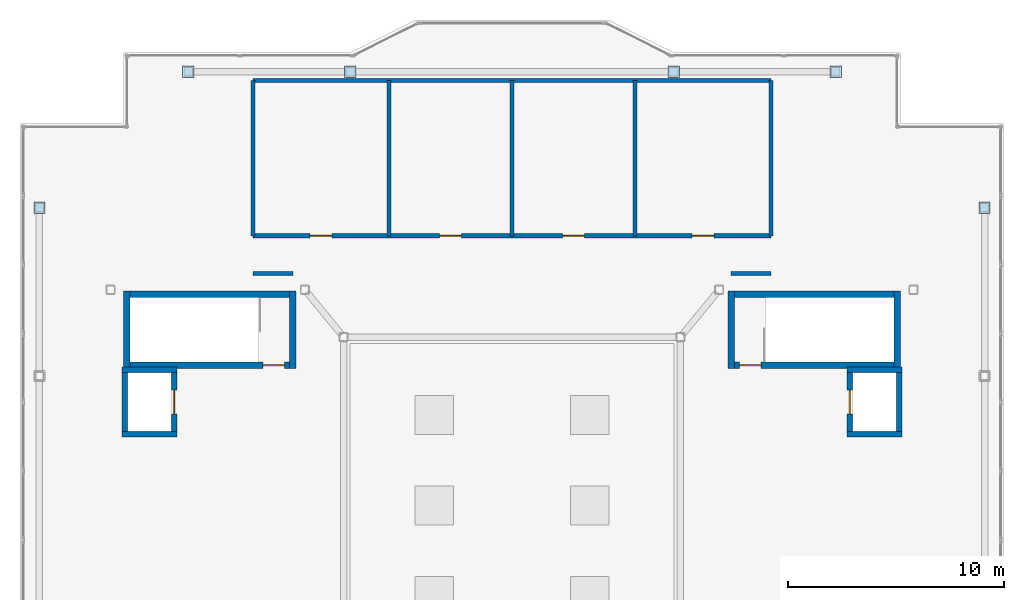
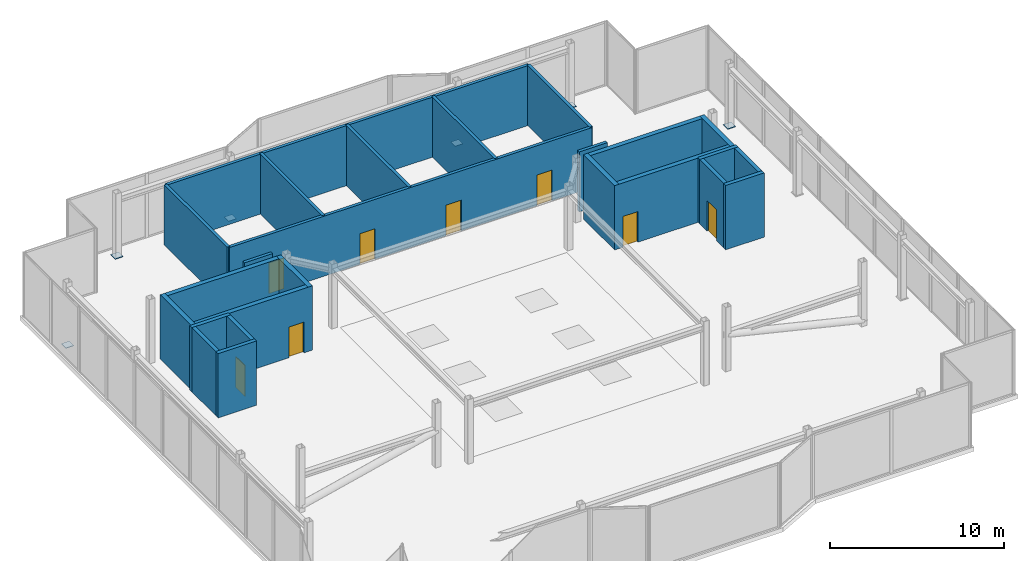
# One storey, part 17 of 18: 25 walls, 8 doors, 6 plates, 8 openings.
"""IFC4 building model written with IfcOpenShell, lengths in metres."""

from ifc_helpers import new_model, si_unit, direction, frame, frame_2d, origin, origin_2d, place, context, subcontext, project, spatial, rectangle, extrude, material, layer, layer_set, type_object, element, fill, save


model = new_model("IFC4")

# Units and contexts
model_context = context("Model", 3, precision=1e-05, world=origin(), true_north=direction((0.0, 1.0)))
body_context = subcontext(model_context, "Body", "Model", "MODEL_VIEW")
ifc_project = project(units=[si_unit("LENGTHUNIT", "METRE"), si_unit("AREAUNIT", "SQUARE_METRE"), si_unit("VOLUMEUNIT", "CUBIC_METRE"), si_unit("PLANEANGLEUNIT", "RADIAN"), si_unit("MASSUNIT", "GRAM", prefix="KILO")], contexts=[model_context])

# Site, building, storey
site_placement = place(None, origin())
site = spatial("IfcSite", under=ifc_project, at=site_placement, CompositionType="ELEMENT")
building_placement = place(site_placement, origin())
building = spatial("IfcBuilding", under=site, at=building_placement, Name="Tarnavaz Court Tower", CompositionType="ELEMENT")
storey_placement = place(building_placement, frame((0.0, 0.0, 281.550048828125)))
storey = spatial("IfcBuildingStorey", under=building, at=storey_placement, Name="C01", CompositionType="ELEMENT", Elevation=281.550048828125)

# Plates
ifc_material_1 = material(Name="Steel S355", Category="steel")
ifc_layer_1 = layer(ifc_material_1, 0.034912109375)
ifc_layer_set_1 = layer_set([ifc_layer_1], Name="Steel S355")
plate_type = type_object("IfcPlateType", Name="PL-BASE-35", PredefinedType="USERDEFINED", material=ifc_layer_set_1)
for number, where, z_axis, x_axis, name in (
    (1, (-15.0, 20.10009765625, 0.0), (0.0, 0.0, 1.0), (1.0, 0.0, 0.0), "C01 Crown Frame Post Base Plate PN-1"),
    (2, (-7.5, 20.10009765625, 0.0), (0.0, 0.0, 1.0), (1.0, 0.0, 0.0), "C01 Crown Frame Post Base Plate PN-2"),
    (3, (7.5, 20.10009765625, 0.0), (0.0, 0.0, 1.0), (1.0, 0.0, 0.0), "C01 Crown Frame Post Base Plate PN-3"),
    (4, (15.0, 20.10009765625, 0.0), (0.0, 0.0, 1.0), (1.0, 0.0, 0.0), "C01 Crown Frame Post Base Plate PN-4"),
    (5, (21.89990234375, 13.800048828125, 0.0), (0.0, 0.0, 1.0), (1.0, 0.0, 0.0), "C01 Crown Frame Post Base Plate PE-4"),
    (6, (-21.89990234375, 13.800048828125, 0.0), (0.0, 0.0, 1.0), (1.0, 0.0, 0.0), "C01 Crown Frame Post Base Plate PW-4"),
):
    element("IfcPlate", number, at=place(storey_placement, frame(where, z_axis=z_axis, x_axis=x_axis)), inside=storey, type_object=plate_type, Name=name, ObjectType="BASE PLATE", PredefinedType="USERDEFINED", context=body_context, shape_type="SweptSolid", body=[
        extrude(rectangle(XDim=0.52001953125, YDim=0.52001953125, at=origin_2d()), origin(), (0.0, 0.0, 1.0), 0.034912109375),
    ])

# Wall, opening, door
ifc_material_2 = material(Name="Concrete C50/60", Category="concrete")
ifc_layer_2 = layer(ifc_material_2, 0.25)
ifc_layer_set_2 = layer_set([ifc_layer_2], Name="Concrete C50/60")
wall_type_1 = type_object("IfcWallType", Name="WL-CORE-250-C50", PredefinedType="SHEAR", material=ifc_layer_set_2)
wall_1_placement = place(storey_placement, frame((-15.64990234375, 3.175048828125, 0.0), z_axis=(0.0, 0.0, 1.0), x_axis=(0.0, 1.0, 0.0)))
wall_1 = element("IfcWall", 7, at=wall_1_placement, inside=storey, type_object=wall_type_1, Name="C01 Interior Partition 009", PredefinedType="SHEAR", context=body_context, shape_type="SweptSolid", body=[
    extrude(rectangle(XDim=3.25, YDim=0.25, at=frame_2d((1.625, 0.0))), origin(), (0.0, 0.0, 1.0), 4.5),
])
opening_1_placement = place(wall_1_placement, frame((1.074951171875, 0.0, 0.0)))
opening_1 = element("IfcOpeningElement", 8, at=opening_1_placement, cuts=wall_1, Name="Opening LD1", PredefinedType="OPENING", context=body_context, shape_type="SweptSolid", body=[
    extrude(rectangle(XDim=1.10009765625, YDim=2.14990234375, at=frame_2d((0.550048828125, 1.074951171875))), frame((0.0, 0.135009765625, 0.0), z_axis=(0.0, -1.0, 0.0), x_axis=(1.0, 0.0, 0.0)), (0.0, 0.0, 1.0), 0.27001953125),
])
ifc_material_3 = material(Name="Stainless Steel", Category="steel")
door_type_1 = type_object("IfcDoorType", Name="DR-LD-1100", OperationType="NOTDEFINED", PredefinedType="DOOR", material=ifc_material_3)
door_1_placement = place(opening_1_placement, origin())
door_1 = element("IfcDoor", 9, at=door_1_placement, inside=storey, type_object=door_type_1, Name="C01 Lift Landing Door LD-FL-W1", OperationType="SLIDING_TO_LEFT", OverallHeight=2.14990234375, OverallWidth=1.10009765625, PredefinedType="DOOR", context=body_context, shape_type="SweptSolid", body=[
    extrude(rectangle(XDim=1.10009765625, YDim=2.14990234375, at=frame_2d((0.550048828125, 1.074951171875))), frame((0.0, 0.02490234375, 0.0), z_axis=(0.0, -1.0, 0.0), x_axis=(1.0, 0.0, 0.0)), (0.0, 0.0, 1.0), 0.050048828125),
])
fill(opening_1, door_1)

# Walls
wall_2_placement = place(storey_placement, frame((-17.949951171875, 3.175048828125, 0.0), z_axis=(0.0, 0.0, 1.0), x_axis=(0.0, 1.0, 0.0)))
element("IfcWall", 10, at=wall_2_placement, inside=storey, type_object=wall_type_1, Name="C01 Interior Partition 010", PredefinedType="SHEAR", context=body_context, shape_type="SweptSolid", body=[
    extrude(rectangle(XDim=3.25, YDim=0.25, at=frame_2d((1.625, 0.0))), origin(), (0.0, 0.0, 1.0), 4.5),
])
for number, where, z_axis, x_axis, name in (
    (11, (-18.074951171875, 3.300048828125, 0.0), (0.0, 0.0, 1.0), (1.0, 0.0, 0.0), "C01 Interior Partition 011"),
    (12, (-18.074951171875, 6.300048828125, 0.0), (0.0, 0.0, 1.0), (1.0, 0.0, 0.0), "C01 Interior Partition 012"),
):
    element("IfcWall", number, at=place(storey_placement, frame(where, z_axis=z_axis, x_axis=x_axis)), inside=storey, type_object=wall_type_1, Name=name, PredefinedType="SHEAR", context=body_context, shape_type="SweptSolid", body=[
        extrude(rectangle(XDim=2.550048828125, YDim=0.25, at=frame_2d((1.27490234375, 0.0))), origin(), (0.0, 0.0, 1.0), 4.5),
    ])

# Wall, opening, door
wall_3_placement = place(storey_placement, frame((15.64990234375, 3.175048828125, 0.0), z_axis=(0.0, 0.0, 1.0), x_axis=(0.0, 1.0, 0.0)))
wall_3 = element("IfcWall", 13, at=wall_3_placement, inside=storey, type_object=wall_type_1, Name="C01 Interior Partition 013", PredefinedType="SHEAR", context=body_context, shape_type="SweptSolid", body=[
    extrude(rectangle(XDim=3.25, YDim=0.25, at=frame_2d((1.625, 0.0))), origin(), (0.0, 0.0, 1.0), 4.5),
])
opening_2_placement = place(wall_3_placement, frame((1.074951171875, 0.0, 0.0)))
opening_2 = element("IfcOpeningElement", 14, at=opening_2_placement, cuts=wall_3, Name="Opening LD1", PredefinedType="OPENING", context=body_context, shape_type="SweptSolid", body=[
    extrude(rectangle(XDim=1.10009765625, YDim=2.14990234375, at=frame_2d((0.550048828125, 1.074951171875))), frame((0.0, 0.135009765625, 0.0), z_axis=(0.0, -1.0, 0.0), x_axis=(1.0, 0.0, 0.0)), (0.0, 0.0, 1.0), 0.27001953125),
])
door_2_placement = place(opening_2_placement, origin())
door_2 = element("IfcDoor", 15, at=door_2_placement, inside=storey, type_object=door_type_1, Name="C01 Lift Landing Door LD-FL-E1", OperationType="SLIDING_TO_LEFT", OverallHeight=2.14990234375, OverallWidth=1.10009765625, PredefinedType="DOOR", context=body_context, shape_type="SweptSolid", body=[
    extrude(rectangle(XDim=1.10009765625, YDim=2.14990234375, at=frame_2d((0.550048828125, 1.074951171875))), frame((0.0, 0.02490234375, 0.0), z_axis=(0.0, -1.0, 0.0), x_axis=(1.0, 0.0, 0.0)), (0.0, 0.0, 1.0), 0.050048828125),
])
fill(opening_2, door_2)

# Walls
wall_4_placement = place(storey_placement, frame((17.949951171875, 3.175048828125, 0.0), z_axis=(0.0, 0.0, 1.0), x_axis=(0.0, 1.0, 0.0)))
element("IfcWall", 16, at=wall_4_placement, inside=storey, type_object=wall_type_1, Name="C01 Interior Partition 014", PredefinedType="SHEAR", context=body_context, shape_type="SweptSolid", body=[
    extrude(rectangle(XDim=3.25, YDim=0.25, at=frame_2d((1.625, 0.0))), origin(), (0.0, 0.0, 1.0), 4.5),
])
for number, where, z_axis, x_axis, name in (
    (17, (15.52490234375, 3.300048828125, 0.0), (0.0, 0.0, 1.0), (1.0, 0.0, 0.0), "C01 Interior Partition 015"),
    (18, (15.52490234375, 6.300048828125, 0.0), (0.0, 0.0, 1.0), (1.0, 0.0, 0.0), "C01 Interior Partition 016"),
):
    element("IfcWall", number, at=place(storey_placement, frame(where, z_axis=z_axis, x_axis=x_axis)), inside=storey, type_object=wall_type_1, Name=name, PredefinedType="SHEAR", context=body_context, shape_type="SweptSolid", body=[
        extrude(rectangle(XDim=2.550048828125, YDim=0.25, at=frame_2d((1.27490234375, 0.0))), origin(), (0.0, 0.0, 1.0), 4.5),
    ])
ifc_layer_3 = layer(ifc_material_2, 0.300048828125)
ifc_layer_set_3 = layer_set([ifc_layer_3], Name="Concrete C50/60")
wall_type_2 = type_object("IfcWallType", Name="WL-CORE-300-C50", PredefinedType="SHEAR", material=ifc_layer_set_3)
wall_5_placement = place(storey_placement, frame((-18.0, 9.7900390625, 0.0), z_axis=(0.0, 0.0, 1.0), x_axis=(1.0, 0.0, 0.0)))
element("IfcWall", 19, at=wall_5_placement, inside=storey, type_object=wall_type_2, Name="C01 West Stair Core Wall 001", PredefinedType="SHEAR", context=body_context, shape_type="SweptSolid", body=[
    extrude(rectangle(XDim=8.0, YDim=0.300048828125, at=frame_2d((4.0, 0.0))), origin(), (0.0, 0.0, 1.0), 4.5),
])

# Wall, opening, door
wall_6_placement = place(storey_placement, frame((-18.0, 6.5, 0.0), z_axis=(0.0, 0.0, 1.0), x_axis=(1.0, 0.0, 0.0)))
wall_6 = element("IfcWall", 20, at=wall_6_placement, inside=storey, type_object=wall_type_2, Name="C01 West Stair Core Wall 002", PredefinedType="SHEAR", context=body_context, shape_type="SweptSolid", body=[
    extrude(rectangle(XDim=8.0, YDim=0.300048828125, at=frame_2d((4.0, 0.0))), origin(), (0.0, 0.0, 1.0), 4.5),
])
opening_3_placement = place(wall_6_placement, frame((6.449951171875, 0.0, 0.0)))
opening_3 = element("IfcOpeningElement", 21, at=opening_3_placement, cuts=wall_6, Name="Opening D01", PredefinedType="OPENING", context=body_context, shape_type="SweptSolid", body=[
    extrude(rectangle(XDim=1.0, YDim=2.14990234375, at=frame_2d((0.5, 1.074951171875))), frame((0.0, 0.159912109375, 0.0), z_axis=(0.0, -1.0, 0.0), x_axis=(1.0, 0.0, 0.0)), (0.0, 0.0, 1.0), 0.320068359375),
])
ifc_material_4 = material(Name="Fire-Rated Hardwood Timber Core", Category="wood")
door_type_2 = type_object("IfcDoorType", Name="DR-FD90-1000", OperationType="NOTDEFINED", PredefinedType="DOOR", material=ifc_material_4)
door_3_placement = place(opening_3_placement, origin())
door_3 = element("IfcDoor", 22, at=door_3_placement, inside=storey, type_object=door_type_2, Name="C01 Stair ST-W1 Exit Door", OperationType="SINGLE_SWING_LEFT", OverallHeight=2.14990234375, OverallWidth=1.0, PredefinedType="DOOR", context=body_context, shape_type="SweptSolid", body=[
    extrude(rectangle(XDim=1.0, YDim=2.14990234375, at=frame_2d((0.5, 1.074951171875))), frame((0.0, 0.02490234375, 0.0), z_axis=(0.0, -1.0, 0.0), x_axis=(1.0, 0.0, 0.0)), (0.0, 0.0, 1.0), 0.050048828125),
])
fill(opening_3, door_3)

# Walls
for number, where, z_axis, x_axis, name in (
    (23, (-17.85009765625, 6.35009765625, 0.0), (0.0, 0.0, 1.0), (0.0, 1.0, 0.0), "C01 West Stair Core Wall 003"),
    (24, (-10.14990234375, 6.35009765625, 0.0), (0.0, 0.0, 1.0), (0.0, 1.0, 0.0), "C01 West Stair Core Wall 004"),
):
    element("IfcWall", number, at=place(storey_placement, frame(where, z_axis=z_axis, x_axis=x_axis)), inside=storey, type_object=wall_type_2, Name=name, PredefinedType="SHEAR", context=body_context, shape_type="SweptSolid", body=[
        extrude(rectangle(XDim=3.58984375, YDim=0.300048828125, at=frame_2d((1.794921875, 0.0))), origin(), (0.0, 0.0, 1.0), 4.5),
    ])
wall_7_placement = place(storey_placement, frame((10.0, 9.7900390625, 0.0), z_axis=(0.0, 0.0, 1.0), x_axis=(1.0, 0.0, 0.0)))
element("IfcWall", 25, at=wall_7_placement, inside=storey, type_object=wall_type_2, Name="C01 East Stair Core Wall 005", PredefinedType="SHEAR", context=body_context, shape_type="SweptSolid", body=[
    extrude(rectangle(XDim=8.0, YDim=0.300048828125, at=frame_2d((4.0, 0.0))), origin(), (0.0, 0.0, 1.0), 4.5),
])

# Wall, opening, door
wall_8_placement = place(storey_placement, frame((10.0, 6.5, 0.0), z_axis=(0.0, 0.0, 1.0), x_axis=(1.0, 0.0, 0.0)))
wall_8 = element("IfcWall", 26, at=wall_8_placement, inside=storey, type_object=wall_type_2, Name="C01 East Stair Core Wall 006", PredefinedType="SHEAR", context=body_context, shape_type="SweptSolid", body=[
    extrude(rectangle(XDim=8.0, YDim=0.300048828125, at=frame_2d((4.0, 0.0))), origin(), (0.0, 0.0, 1.0), 4.5),
])
opening_4_placement = place(wall_8_placement, frame((0.550048828125, 0.0, 0.0)))
opening_4 = element("IfcOpeningElement", 27, at=opening_4_placement, cuts=wall_8, Name="Opening D01", PredefinedType="OPENING", context=body_context, shape_type="SweptSolid", body=[
    extrude(rectangle(XDim=1.0, YDim=2.14990234375, at=frame_2d((0.5, 1.074951171875))), frame((0.0, 0.159912109375, 0.0), z_axis=(0.0, -1.0, 0.0), x_axis=(1.0, 0.0, 0.0)), (0.0, 0.0, 1.0), 0.320068359375),
])
door_4_placement = place(opening_4_placement, origin())
door_4 = element("IfcDoor", 28, at=door_4_placement, inside=storey, type_object=door_type_2, Name="C01 Stair ST-E1 Exit Door", OperationType="SINGLE_SWING_RIGHT", OverallHeight=2.14990234375, OverallWidth=1.0, PredefinedType="DOOR", context=body_context, shape_type="SweptSolid", body=[
    extrude(rectangle(XDim=1.0, YDim=2.14990234375, at=frame_2d((0.5, 1.074951171875))), frame((0.0, 0.02490234375, 0.0), z_axis=(0.0, -1.0, 0.0), x_axis=(1.0, 0.0, 0.0)), (0.0, 0.0, 1.0), 0.050048828125),
])
fill(opening_4, door_4)

# Walls
for number, where, z_axis, x_axis, name in (
    (29, (10.14990234375, 6.35009765625, 0.0), (0.0, 0.0, 1.0), (0.0, 1.0, 0.0), "C01 East Stair Core Wall 007"),
    (30, (17.85009765625, 6.35009765625, 0.0), (0.0, 0.0, 1.0), (0.0, 1.0, 0.0), "C01 East Stair Core Wall 008"),
):
    element("IfcWall", number, at=place(storey_placement, frame(where, z_axis=z_axis, x_axis=x_axis)), inside=storey, type_object=wall_type_2, Name=name, PredefinedType="SHEAR", context=body_context, shape_type="SweptSolid", body=[
        extrude(rectangle(XDim=3.58984375, YDim=0.300048828125, at=frame_2d((1.794921875, 0.0))), origin(), (0.0, 0.0, 1.0), 4.5),
    ])

# Wall, openings, doors
ifc_material_5 = material(Name="Autoclaved Aerated Concrete Blockwork", Category="masonry")
ifc_layer_4 = layer(ifc_material_5, 0.199951171875)
ifc_layer_set_4 = layer_set([ifc_layer_4], Name="Autoclaved Aerated Concrete Blockwork")
wall_type_3 = type_object("IfcWallType", Name="WL-FIRE-200", PredefinedType="SOLIDWALL", material=ifc_layer_set_4)
wall_9_placement = place(storey_placement, frame((-12.0, 12.5, 0.0), z_axis=(0.0, 0.0, 1.0), x_axis=(1.0, 0.0, 0.0)))
wall_9 = element("IfcWall", 31, at=wall_9_placement, inside=storey, type_object=wall_type_3, Name="C01 Interior Partition 017", PredefinedType="SOLIDWALL", context=body_context, shape_type="SweptSolid", body=[
    extrude(rectangle(XDim=24.0, YDim=0.199951171875, at=frame_2d((12.0, 0.0))), origin(), (0.0, 0.0, 1.0), 4.199951171875),
])
opening_5_placement = place(wall_9_placement, frame((2.64990234375, 0.0, 0.0)))
opening_5 = element("IfcOpeningElement", 32, at=opening_5_placement, cuts=wall_9, Name="Opening D01", PredefinedType="OPENING", context=body_context, shape_type="SweptSolid", body=[
    extrude(rectangle(XDim=1.0, YDim=2.14990234375, at=frame_2d((0.5, 1.074951171875))), frame((0.0, 0.10986328125, 0.0), z_axis=(0.0, -1.0, 0.0), x_axis=(1.0, 0.0, 0.0)), (0.0, 0.0, 1.0), 0.219970703125),
])
opening_6_placement = place(wall_9_placement, frame((8.64990234375, 0.0, 0.0)))
opening_6 = element("IfcOpeningElement", 33, at=opening_6_placement, cuts=wall_9, Name="Opening D01", PredefinedType="OPENING", context=body_context, shape_type="SweptSolid", body=[
    extrude(rectangle(XDim=1.0, YDim=2.14990234375, at=frame_2d((0.5, 1.074951171875))), frame((0.0, 0.10986328125, 0.0), z_axis=(0.0, -1.0, 0.0), x_axis=(1.0, 0.0, 0.0)), (0.0, 0.0, 1.0), 0.219970703125),
])
opening_7_placement = place(wall_9_placement, frame((14.35009765625, 0.0, 0.0)))
opening_7 = element("IfcOpeningElement", 34, at=opening_7_placement, cuts=wall_9, Name="Opening D01", PredefinedType="OPENING", context=body_context, shape_type="SweptSolid", body=[
    extrude(rectangle(XDim=1.0, YDim=2.14990234375, at=frame_2d((0.5, 1.074951171875))), frame((0.0, 0.10986328125, 0.0), z_axis=(0.0, -1.0, 0.0), x_axis=(1.0, 0.0, 0.0)), (0.0, 0.0, 1.0), 0.219970703125),
])
opening_8_placement = place(wall_9_placement, frame((20.35009765625, 0.0, 0.0)))
opening_8 = element("IfcOpeningElement", 35, at=opening_8_placement, cuts=wall_9, Name="Opening D01", PredefinedType="OPENING", context=body_context, shape_type="SweptSolid", body=[
    extrude(rectangle(XDim=1.0, YDim=2.14990234375, at=frame_2d((0.5, 1.074951171875))), frame((0.0, 0.10986328125, 0.0), z_axis=(0.0, -1.0, 0.0), x_axis=(1.0, 0.0, 0.0)), (0.0, 0.0, 1.0), 0.219970703125),
])
door_5_placement = place(opening_5_placement, origin())
door_5 = element("IfcDoor", 36, at=door_5_placement, inside=storey, type_object=door_type_2, Name="C01 C01 Heat-Recovery AHU Mechanical Plant Room Door", OperationType="SINGLE_SWING_LEFT", OverallHeight=2.14990234375, OverallWidth=1.0, PredefinedType="DOOR", context=body_context, shape_type="SweptSolid", body=[
    extrude(rectangle(XDim=1.0, YDim=2.14990234375, at=frame_2d((0.5, 1.074951171875))), frame((0.0, 0.02490234375, 0.0), z_axis=(0.0, -1.0, 0.0), x_axis=(1.0, 0.0, 0.0)), (0.0, 0.0, 1.0), 0.050048828125),
])
fill(opening_5, door_5)
door_6_placement = place(opening_6_placement, origin())
door_6 = element("IfcDoor", 37, at=door_6_placement, inside=storey, type_object=door_type_2, Name="C01 C01 Smoke Exhaust Fan Mechanical Plant Room Door", OperationType="SINGLE_SWING_RIGHT", OverallHeight=2.14990234375, OverallWidth=1.0, PredefinedType="DOOR", context=body_context, shape_type="SweptSolid", body=[
    extrude(rectangle(XDim=1.0, YDim=2.14990234375, at=frame_2d((0.5, 1.074951171875))), frame((0.0, 0.02490234375, 0.0), z_axis=(0.0, -1.0, 0.0), x_axis=(1.0, 0.0, 0.0)), (0.0, 0.0, 1.0), 0.050048828125),
])
fill(opening_6, door_6)
door_7_placement = place(opening_7_placement, origin())
door_7 = element("IfcDoor", 38, at=door_7_placement, inside=storey, type_object=door_type_2, Name="C01 C01 Stair Pressurization Fan Plant Room Door", OperationType="SINGLE_SWING_LEFT", OverallHeight=2.14990234375, OverallWidth=1.0, PredefinedType="DOOR", context=body_context, shape_type="SweptSolid", body=[
    extrude(rectangle(XDim=1.0, YDim=2.14990234375, at=frame_2d((0.5, 1.074951171875))), frame((0.0, 0.02490234375, 0.0), z_axis=(0.0, -1.0, 0.0), x_axis=(1.0, 0.0, 0.0)), (0.0, 0.0, 1.0), 0.050048828125),
])
fill(opening_7, door_7)
door_8_placement = place(opening_8_placement, origin())
door_8 = element("IfcDoor", 39, at=door_8_placement, inside=storey, type_object=door_type_2, Name="C01 C01 High-Zone Booster Pump and BMS Plant Room Door", OperationType="SINGLE_SWING_RIGHT", OverallHeight=2.14990234375, OverallWidth=1.0, PredefinedType="DOOR", context=body_context, shape_type="SweptSolid", body=[
    extrude(rectangle(XDim=1.0, YDim=2.14990234375, at=frame_2d((0.5, 1.074951171875))), frame((0.0, 0.02490234375, 0.0), z_axis=(0.0, -1.0, 0.0), x_axis=(1.0, 0.0, 0.0)), (0.0, 0.0, 1.0), 0.050048828125),
])
fill(opening_8, door_8)

# Walls
for number, where, z_axis, x_axis, name in (
    (40, (-12.0, 10.75, 0.0), (0.0, 0.0, 1.0), (1.0, 0.0, 0.0), "C01 Interior Partition 018"),
    (41, (10.14990234375, 10.75, 0.0), (0.0, 0.0, 1.0), (1.0, 0.0, 0.0), "C01 Interior Partition 019"),
):
    element("IfcWall", number, at=place(storey_placement, frame(where, z_axis=z_axis, x_axis=x_axis)), inside=storey, type_object=wall_type_3, Name=name, PredefinedType="SOLIDWALL", context=body_context, shape_type="SweptSolid", body=[
        extrude(rectangle(XDim=1.85009765625, YDim=0.199951171875, at=frame_2d((0.925048828125, 0.0))), origin(), (0.0, 0.0, 1.0), 4.199951171875),
    ])
wall_10_placement = place(storey_placement, frame((-12.0, 19.699951171875, 0.0), z_axis=(0.0, 0.0, 1.0), x_axis=(1.0, 0.0, 0.0)))
element("IfcWall", 42, at=wall_10_placement, inside=storey, type_object=wall_type_3, Name="C01 Interior Partition 020", PredefinedType="SOLIDWALL", context=body_context, shape_type="SweptSolid", body=[
    extrude(rectangle(XDim=24.0, YDim=0.199951171875, at=frame_2d((12.0, 0.0))), origin(), (0.0, 0.0, 1.0), 4.199951171875),
])
for number, where, z_axis, x_axis, name in (
    (43, (-12.0, 12.5, 0.0), (0.0, 0.0, 1.0), (0.0, 1.0, 0.0), "C01 Interior Partition 021"),
    (44, (-5.699951171875, 12.5, 0.0), (0.0, 0.0, 1.0), (0.0, 1.0, 0.0), "C01 Interior Partition 022"),
    (45, (0.0, 12.5, 0.0), (0.0, 0.0, 1.0), (0.0, 1.0, 0.0), "C01 Interior Partition 023"),
    (46, (5.699951171875, 12.5, 0.0), (0.0, 0.0, 1.0), (0.0, 1.0, 0.0), "C01 Interior Partition 024"),
    (47, (12.0, 12.5, 0.0), (0.0, 0.0, 1.0), (0.0, 1.0, 0.0), "C01 Interior Partition 025"),
):
    element("IfcWall", number, at=place(storey_placement, frame(where, z_axis=z_axis, x_axis=x_axis)), inside=storey, type_object=wall_type_3, Name=name, PredefinedType="SOLIDWALL", context=body_context, shape_type="SweptSolid", body=[
        extrude(rectangle(XDim=7.199951171875, YDim=0.199951171875, at=frame_2d((3.60009765625, 0.0))), origin(), (0.0, 0.0, 1.0), 4.199951171875),
    ])

save(model, "model.ifc")
